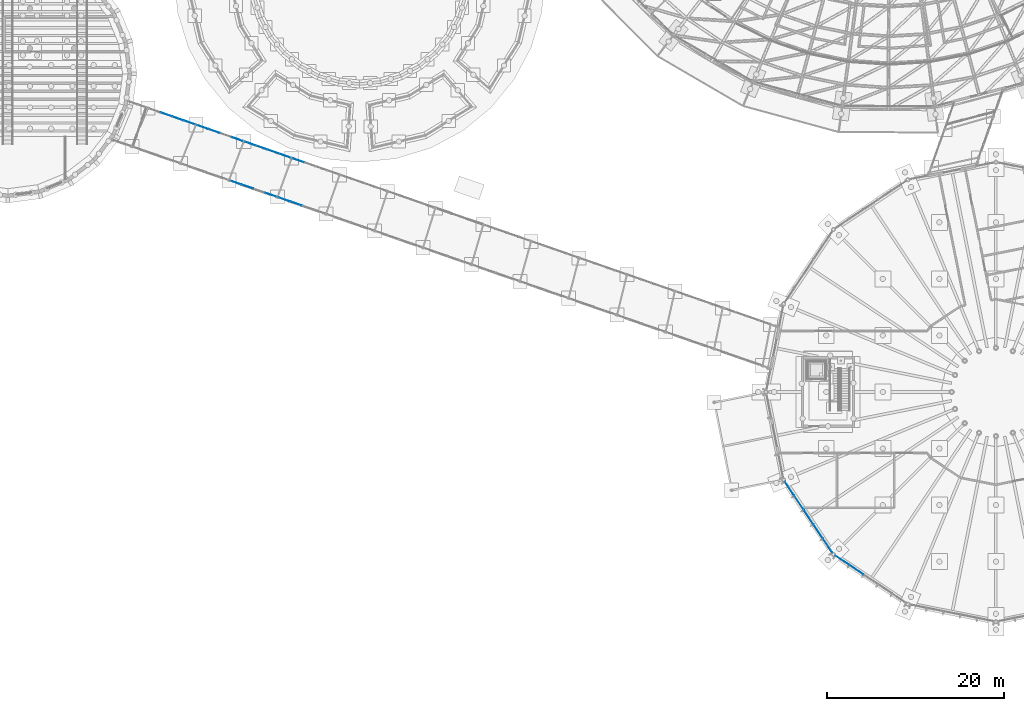
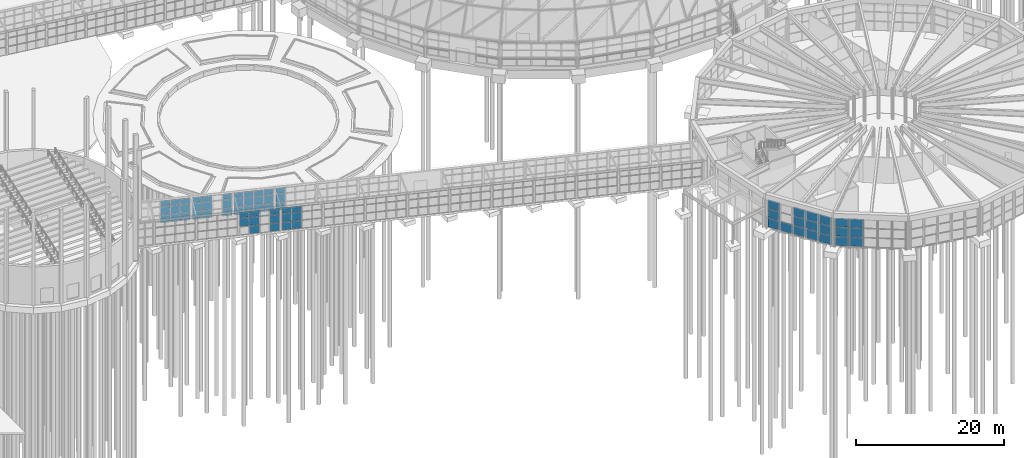
# One storey, part 122 of 226: 66 plates, 8 elements without a shape of their own.
"""IFC4 building model written with IfcOpenShell, lengths in metres."""

from ifc_helpers import new_model, si_unit, direction, frame, origin, origin_2d, place, context, subcontext, project, spatial, rectangle, extrude, material, layer, layer_set, type_object, element, aggregate, save


model = new_model("IFC4")

# Units and contexts
model_context = context("Model", 3, precision=1e-05, world=origin(), true_north=direction((0.0, 1.0)))
body_context = subcontext(model_context, "Body", "Model", "MODEL_VIEW")
ifc_project = project(units=[si_unit("LENGTHUNIT", "METRE"), si_unit("AREAUNIT", "SQUARE_METRE"), si_unit("VOLUMEUNIT", "CUBIC_METRE"), si_unit("PLANEANGLEUNIT", "RADIAN"), si_unit("MASSUNIT", "GRAM", prefix="KILO")], contexts=[model_context])

# Site, building, storey
site_placement = place(None, origin())
site = spatial("IfcSite", under=ifc_project, at=site_placement, CompositionType="ELEMENT")
building_placement = place(site_placement, origin())
building = spatial("IfcBuilding", under=site, at=building_placement, Name="Ceibo Conservatory and Research Tower", CompositionType="ELEMENT")
storey_placement = place(building_placement, origin())
storey = spatial("IfcBuildingStorey", under=building, at=storey_placement, Name="L00", CompositionType="ELEMENT", Elevation=0.0)

# Curtain wall, plates
ifc_material_1 = material(Name="Aluminium and glass", Category="aluminium")
curtain_wall_type_1 = type_object("IfcCurtainWallType", Name="Gallery curtain wall", PredefinedType="NOTDEFINED", material=ifc_material_1)
curtain_wall_1_placement = place(storey_placement, origin())
curtain_wall_1 = element("IfcCurtainWall", 1, at=curtain_wall_1_placement, inside=storey, type_object=curtain_wall_type_1, Name="Gallery curtain wall AUD-VC-CWN02", PredefinedType="NOTDEFINED")
ifc_material_2 = material(Name="Laminated glass", Category="glass")
ifc_layer_1 = layer(ifc_material_2, 0.028076171875)
ifc_layer_set_1 = layer_set([ifc_layer_1], Name="Laminated glass")
plate_type_1 = type_object("IfcPlateType", Name="Gallery glass 28", PredefinedType="CURTAIN_PANEL", material=ifc_layer_set_1)
plate_1_placement = place(storey_placement, frame((74.096435546875, 67.40625, 0.06005859375), z_axis=(0.0, 0.0, 1.0), x_axis=(0.944579236191, -0.328283515513, 0.0)))
plate_1 = element("IfcPlate", 2, at=plate_1_placement, type_object=plate_type_1, Name="AUD-VC-CWN02 panel 2.1", PredefinedType="CURTAIN_PANEL", context=body_context, shape_type="SweptSolid", body=[
    extrude(rectangle(XDim=1.32470703125, YDim=0.028076171875, at=origin_2d()), origin(), (0.0, 0.0, 1.0), 1.31005859375),
])
plate_2_placement = place(storey_placement, frame((74.096435546875, 67.40625, 1.43017578125), z_axis=(0.0, 0.0, 1.0), x_axis=(0.944579236191, -0.328283515513, 0.0)))
plate_2 = element("IfcPlate", 3, at=plate_2_placement, type_object=plate_type_1, Name="AUD-VC-CWN02 panel 2.2", PredefinedType="CURTAIN_PANEL", context=body_context, shape_type="SweptSolid", body=[
    extrude(rectangle(XDim=1.32470703125, YDim=0.028076171875, at=origin_2d()), origin(), (0.0, 0.0, 1.0), 1.340087890625),
])
plate_3_placement = place(storey_placement, frame((74.096435546875, 67.40625, 2.830078125), z_axis=(0.0, 0.0, 1.0), x_axis=(0.944579236191, -0.328283515513, 0.0)))
plate_3 = element("IfcPlate", 4, at=plate_3_placement, type_object=plate_type_1, Name="AUD-VC-CWN02 panel 2.3", PredefinedType="CURTAIN_PANEL", context=body_context, shape_type="SweptSolid", body=[
    extrude(rectangle(XDim=1.32470703125, YDim=0.028076171875, at=origin_2d()), origin(), (0.0, 0.0, 1.0), 0.909912109375),
])
plate_4_placement = place(storey_placement, frame((75.404296875, 66.95166015625, 0.06005859375), z_axis=(0.0, 0.0, 1.0), x_axis=(0.944579236191, -0.328283515513, 0.0)))
plate_4 = element("IfcPlate", 5, at=plate_4_placement, type_object=plate_type_1, Name="AUD-VC-CWN02 panel 3.1", PredefinedType="CURTAIN_PANEL", context=body_context, shape_type="SweptSolid", body=[
    extrude(rectangle(XDim=1.32470703125, YDim=0.028076171875, at=origin_2d()), origin(), (0.0, 0.0, 1.0), 1.31005859375),
])
plate_5_placement = place(storey_placement, frame((75.404296875, 66.95166015625, 1.43017578125), z_axis=(0.0, 0.0, 1.0), x_axis=(0.944579236191, -0.328283515513, 0.0)))
plate_5 = element("IfcPlate", 6, at=plate_5_placement, type_object=plate_type_1, Name="AUD-VC-CWN02 panel 3.2", PredefinedType="CURTAIN_PANEL", context=body_context, shape_type="SweptSolid", body=[
    extrude(rectangle(XDim=1.32470703125, YDim=0.028076171875, at=origin_2d()), origin(), (0.0, 0.0, 1.0), 1.340087890625),
])
plate_6_placement = place(storey_placement, frame((75.404296875, 66.95166015625, 2.830078125), z_axis=(0.0, 0.0, 1.0), x_axis=(0.944579236191, -0.328283515513, 0.0)))
plate_6 = element("IfcPlate", 7, at=plate_6_placement, type_object=plate_type_1, Name="AUD-VC-CWN02 panel 3.3", PredefinedType="CURTAIN_PANEL", context=body_context, shape_type="SweptSolid", body=[
    extrude(rectangle(XDim=1.32470703125, YDim=0.028076171875, at=origin_2d()), origin(), (0.0, 0.0, 1.0), 0.909912109375),
])
plate_7_placement = place(storey_placement, frame((76.697998046875, 66.501953125, 0.06005859375), z_axis=(0.0, 0.0, 1.0), x_axis=(0.944579236191, -0.328283515513, 0.0)))
plate_7 = element("IfcPlate", 8, at=plate_7_placement, type_object=plate_type_1, Name="AUD-VC-CWN02 panel 4.1", PredefinedType="CURTAIN_PANEL", context=body_context, shape_type="SweptSolid", body=[
    extrude(rectangle(XDim=1.294677734375, YDim=0.028076171875, at=origin_2d()), origin(), (0.0, 0.0, 1.0), 1.31005859375),
])
plate_8_placement = place(storey_placement, frame((76.697998046875, 66.501953125, 1.43017578125), z_axis=(0.0, 0.0, 1.0), x_axis=(0.944579236191, -0.328283515513, 0.0)))
plate_8 = element("IfcPlate", 9, at=plate_8_placement, type_object=plate_type_1, Name="AUD-VC-CWN02 panel 4.2", PredefinedType="CURTAIN_PANEL", context=body_context, shape_type="SweptSolid", body=[
    extrude(rectangle(XDim=1.294677734375, YDim=0.028076171875, at=origin_2d()), origin(), (0.0, 0.0, 1.0), 1.340087890625),
])
plate_9_placement = place(storey_placement, frame((76.697998046875, 66.501953125, 2.830078125), z_axis=(0.0, 0.0, 1.0), x_axis=(0.944579236191, -0.328283515513, 0.0)))
plate_9 = element("IfcPlate", 10, at=plate_9_placement, type_object=plate_type_1, Name="AUD-VC-CWN02 panel 4.3", PredefinedType="CURTAIN_PANEL", context=body_context, shape_type="SweptSolid", body=[
    extrude(rectangle(XDim=1.294677734375, YDim=0.028076171875, at=origin_2d()), origin(), (0.0, 0.0, 1.0), 0.909912109375),
])
aggregate(curtain_wall_1, [plate_1, plate_2, plate_3, plate_4, plate_5, plate_6, plate_7, plate_8, plate_9])

curtain_wall_2_placement = place(storey_placement, origin())
curtain_wall_2 = element("IfcCurtainWall", 11, at=curtain_wall_2_placement, inside=storey, type_object=curtain_wall_type_1, Name="Gallery curtain wall AUD-VC-CWN03", PredefinedType="NOTDEFINED")
plate_10_placement = place(storey_placement, frame((78.223388671875, 65.971923828125, 0.06005859375), z_axis=(0.0, 0.0, 1.0), x_axis=(0.944579236191, -0.328283515513, 0.0)))
plate_10 = element("IfcPlate", 12, at=plate_10_placement, type_object=plate_type_1, Name="AUD-VC-CWN03 panel 1.1", PredefinedType="CURTAIN_PANEL", context=body_context, shape_type="SweptSolid", body=[
    extrude(rectangle(XDim=1.294677734375, YDim=0.028076171875, at=origin_2d()), origin(), (0.0, 0.0, 1.0), 1.31005859375),
])
plate_11_placement = place(storey_placement, frame((78.223388671875, 65.971923828125, 1.43017578125), z_axis=(0.0, 0.0, 1.0), x_axis=(0.944579236191, -0.328283515513, 0.0)))
plate_11 = element("IfcPlate", 13, at=plate_11_placement, type_object=plate_type_1, Name="AUD-VC-CWN03 panel 1.2", PredefinedType="CURTAIN_PANEL", context=body_context, shape_type="SweptSolid", body=[
    extrude(rectangle(XDim=1.294677734375, YDim=0.028076171875, at=origin_2d()), origin(), (0.0, 0.0, 1.0), 1.340087890625),
])
plate_12_placement = place(storey_placement, frame((78.223388671875, 65.971923828125, 2.830078125), z_axis=(0.0, 0.0, 1.0), x_axis=(0.944579236191, -0.328283515513, 0.0)))
plate_12 = element("IfcPlate", 14, at=plate_12_placement, type_object=plate_type_1, Name="AUD-VC-CWN03 panel 1.3", PredefinedType="CURTAIN_PANEL", context=body_context, shape_type="SweptSolid", body=[
    extrude(rectangle(XDim=1.294677734375, YDim=0.028076171875, at=origin_2d()), origin(), (0.0, 0.0, 1.0), 0.909912109375),
])
plate_13_placement = place(storey_placement, frame((79.51708984375, 65.522216796875, 0.06005859375), z_axis=(0.0, 0.0, 1.0), x_axis=(0.944579236191, -0.328283515513, 0.0)))
plate_13 = element("IfcPlate", 15, at=plate_13_placement, type_object=plate_type_1, Name="AUD-VC-CWN03 panel 2.1", PredefinedType="CURTAIN_PANEL", context=body_context, shape_type="SweptSolid", body=[
    extrude(rectangle(XDim=1.32470703125, YDim=0.028076171875, at=origin_2d()), origin(), (0.0, 0.0, 1.0), 1.31005859375),
])
plate_14_placement = place(storey_placement, frame((79.51708984375, 65.522216796875, 1.43017578125), z_axis=(0.0, 0.0, 1.0), x_axis=(0.944579236191, -0.328283515513, 0.0)))
plate_14 = element("IfcPlate", 16, at=plate_14_placement, type_object=plate_type_1, Name="AUD-VC-CWN03 panel 2.2", PredefinedType="CURTAIN_PANEL", context=body_context, shape_type="SweptSolid", body=[
    extrude(rectangle(XDim=1.32470703125, YDim=0.028076171875, at=origin_2d()), origin(), (0.0, 0.0, 1.0), 1.340087890625),
])
plate_15_placement = place(storey_placement, frame((79.51708984375, 65.522216796875, 2.830078125), z_axis=(0.0, 0.0, 1.0), x_axis=(0.944579236191, -0.328283515513, 0.0)))
plate_15 = element("IfcPlate", 17, at=plate_15_placement, type_object=plate_type_1, Name="AUD-VC-CWN03 panel 2.3", PredefinedType="CURTAIN_PANEL", context=body_context, shape_type="SweptSolid", body=[
    extrude(rectangle(XDim=1.32470703125, YDim=0.028076171875, at=origin_2d()), origin(), (0.0, 0.0, 1.0), 0.909912109375),
])
plate_16_placement = place(storey_placement, frame((82.11865234375, 64.6181640625, 0.06005859375), z_axis=(0.0, 0.0, 1.0), x_axis=(0.944579236191, -0.328283515513, 0.0)))
plate_16 = element("IfcPlate", 18, at=plate_16_placement, type_object=plate_type_1, Name="AUD-VC-CWN03 panel 4.1", PredefinedType="CURTAIN_PANEL", context=body_context, shape_type="SweptSolid", body=[
    extrude(rectangle(XDim=1.294677734375, YDim=0.028076171875, at=origin_2d()), origin(), (0.0, 0.0, 1.0), 1.31005859375),
])
plate_17_placement = place(storey_placement, frame((82.11865234375, 64.6181640625, 1.43017578125), z_axis=(0.0, 0.0, 1.0), x_axis=(0.944579236191, -0.328283515513, 0.0)))
plate_17 = element("IfcPlate", 19, at=plate_17_placement, type_object=plate_type_1, Name="AUD-VC-CWN03 panel 4.2", PredefinedType="CURTAIN_PANEL", context=body_context, shape_type="SweptSolid", body=[
    extrude(rectangle(XDim=1.294677734375, YDim=0.028076171875, at=origin_2d()), origin(), (0.0, 0.0, 1.0), 1.340087890625),
])
plate_18_placement = place(storey_placement, frame((82.11865234375, 64.6181640625, 2.830078125), z_axis=(0.0, 0.0, 1.0), x_axis=(0.944579236191, -0.328283515513, 0.0)))
plate_18 = element("IfcPlate", 20, at=plate_18_placement, type_object=plate_type_1, Name="AUD-VC-CWN03 panel 4.3", PredefinedType="CURTAIN_PANEL", context=body_context, shape_type="SweptSolid", body=[
    extrude(rectangle(XDim=1.294677734375, YDim=0.028076171875, at=origin_2d()), origin(), (0.0, 0.0, 1.0), 0.909912109375),
])
aggregate(curtain_wall_2, [plate_10, plate_11, plate_12, plate_13, plate_14, plate_15, plate_16, plate_17, plate_18])

curtain_wall_3_placement = place(storey_placement, origin())
curtain_wall_3 = element("IfcCurtainWall", 21, at=curtain_wall_3_placement, inside=storey, type_object=curtain_wall_type_1, Name="Gallery curtain wall AUD-VC-CWN04", PredefinedType="NOTDEFINED")
plate_19_placement = place(storey_placement, frame((83.643798828125, 64.088134765625, 0.06005859375), z_axis=(0.0, 0.0, 1.0), x_axis=(0.944579236191, -0.328283515513, 0.0)))
plate_19 = element("IfcPlate", 22, at=plate_19_placement, type_object=plate_type_1, Name="AUD-VC-CWN04 panel 1.1", PredefinedType="CURTAIN_PANEL", context=body_context, shape_type="SweptSolid", body=[
    extrude(rectangle(XDim=1.294677734375, YDim=0.028076171875, at=origin_2d()), origin(), (0.0, 0.0, 1.0), 1.31005859375),
])
plate_20_placement = place(storey_placement, frame((83.643798828125, 64.088134765625, 1.43017578125), z_axis=(0.0, 0.0, 1.0), x_axis=(0.944579236191, -0.328283515513, 0.0)))
plate_20 = element("IfcPlate", 23, at=plate_20_placement, type_object=plate_type_1, Name="AUD-VC-CWN04 panel 1.2", PredefinedType="CURTAIN_PANEL", context=body_context, shape_type="SweptSolid", body=[
    extrude(rectangle(XDim=1.294677734375, YDim=0.028076171875, at=origin_2d()), origin(), (0.0, 0.0, 1.0), 1.340087890625),
])
plate_21_placement = place(storey_placement, frame((83.643798828125, 64.088134765625, 2.830078125), z_axis=(0.0, 0.0, 1.0), x_axis=(0.944579236191, -0.328283515513, 0.0)))
plate_21 = element("IfcPlate", 24, at=plate_21_placement, type_object=plate_type_1, Name="AUD-VC-CWN04 panel 1.3", PredefinedType="CURTAIN_PANEL", context=body_context, shape_type="SweptSolid", body=[
    extrude(rectangle(XDim=1.294677734375, YDim=0.028076171875, at=origin_2d()), origin(), (0.0, 0.0, 1.0), 0.909912109375),
])
plate_22_placement = place(storey_placement, frame((84.937744140625, 63.638427734375, 0.06005859375), z_axis=(0.0, 0.0, 1.0), x_axis=(0.944579236191, -0.328283515513, 0.0)))
plate_22 = element("IfcPlate", 25, at=plate_22_placement, type_object=plate_type_1, Name="AUD-VC-CWN04 panel 2.1", PredefinedType="CURTAIN_PANEL", context=body_context, shape_type="SweptSolid", body=[
    extrude(rectangle(XDim=1.32470703125, YDim=0.028076171875, at=origin_2d()), origin(), (0.0, 0.0, 1.0), 1.31005859375),
])
plate_23_placement = place(storey_placement, frame((84.937744140625, 63.638427734375, 1.43017578125), z_axis=(0.0, 0.0, 1.0), x_axis=(0.944579236191, -0.328283515513, 0.0)))
plate_23 = element("IfcPlate", 26, at=plate_23_placement, type_object=plate_type_1, Name="AUD-VC-CWN04 panel 2.2", PredefinedType="CURTAIN_PANEL", context=body_context, shape_type="SweptSolid", body=[
    extrude(rectangle(XDim=1.32470703125, YDim=0.028076171875, at=origin_2d()), origin(), (0.0, 0.0, 1.0), 1.340087890625),
])
plate_24_placement = place(storey_placement, frame((84.937744140625, 63.638427734375, 2.830078125), z_axis=(0.0, 0.0, 1.0), x_axis=(0.944579236191, -0.328283515513, 0.0)))
plate_24 = element("IfcPlate", 27, at=plate_24_placement, type_object=plate_type_1, Name="AUD-VC-CWN04 panel 2.3", PredefinedType="CURTAIN_PANEL", context=body_context, shape_type="SweptSolid", body=[
    extrude(rectangle(XDim=1.32470703125, YDim=0.028076171875, at=origin_2d()), origin(), (0.0, 0.0, 1.0), 0.909912109375),
])
plate_25_placement = place(storey_placement, frame((86.24560546875, 63.183837890625, 0.06005859375), z_axis=(0.0, 0.0, 1.0), x_axis=(0.944579236191, -0.328283515513, 0.0)))
plate_25 = element("IfcPlate", 28, at=plate_25_placement, type_object=plate_type_1, Name="AUD-VC-CWN04 panel 3.1", PredefinedType="CURTAIN_PANEL", context=body_context, shape_type="SweptSolid", body=[
    extrude(rectangle(XDim=1.32470703125, YDim=0.028076171875, at=origin_2d()), origin(), (0.0, 0.0, 1.0), 1.31005859375),
])
plate_26_placement = place(storey_placement, frame((86.24560546875, 63.183837890625, 1.43017578125), z_axis=(0.0, 0.0, 1.0), x_axis=(0.944579236191, -0.328283515513, 0.0)))
plate_26 = element("IfcPlate", 29, at=plate_26_placement, type_object=plate_type_1, Name="AUD-VC-CWN04 panel 3.2", PredefinedType="CURTAIN_PANEL", context=body_context, shape_type="SweptSolid", body=[
    extrude(rectangle(XDim=1.32470703125, YDim=0.028076171875, at=origin_2d()), origin(), (0.0, 0.0, 1.0), 1.340087890625),
])
plate_27_placement = place(storey_placement, frame((86.24560546875, 63.183837890625, 2.830078125), z_axis=(0.0, 0.0, 1.0), x_axis=(0.944579236191, -0.328283515513, 0.0)))
plate_27 = element("IfcPlate", 30, at=plate_27_placement, type_object=plate_type_1, Name="AUD-VC-CWN04 panel 3.3", PredefinedType="CURTAIN_PANEL", context=body_context, shape_type="SweptSolid", body=[
    extrude(rectangle(XDim=1.32470703125, YDim=0.028076171875, at=origin_2d()), origin(), (0.0, 0.0, 1.0), 0.909912109375),
])
plate_28_placement = place(storey_placement, frame((87.539306640625, 62.734130859375, 0.06005859375), z_axis=(0.0, 0.0, 1.0), x_axis=(0.944579236191, -0.328283515513, 0.0)))
plate_28 = element("IfcPlate", 31, at=plate_28_placement, type_object=plate_type_1, Name="AUD-VC-CWN04 panel 4.1", PredefinedType="CURTAIN_PANEL", context=body_context, shape_type="SweptSolid", body=[
    extrude(rectangle(XDim=1.294677734375, YDim=0.028076171875, at=origin_2d()), origin(), (0.0, 0.0, 1.0), 1.31005859375),
])
plate_29_placement = place(storey_placement, frame((87.539306640625, 62.734130859375, 1.43017578125), z_axis=(0.0, 0.0, 1.0), x_axis=(0.944579236191, -0.328283515513, 0.0)))
plate_29 = element("IfcPlate", 32, at=plate_29_placement, type_object=plate_type_1, Name="AUD-VC-CWN04 panel 4.2", PredefinedType="CURTAIN_PANEL", context=body_context, shape_type="SweptSolid", body=[
    extrude(rectangle(XDim=1.294677734375, YDim=0.028076171875, at=origin_2d()), origin(), (0.0, 0.0, 1.0), 1.340087890625),
])
plate_30_placement = place(storey_placement, frame((87.539306640625, 62.734130859375, 2.830078125), z_axis=(0.0, 0.0, 1.0), x_axis=(0.944579236191, -0.328283515513, 0.0)))
plate_30 = element("IfcPlate", 33, at=plate_30_placement, type_object=plate_type_1, Name="AUD-VC-CWN04 panel 4.3", PredefinedType="CURTAIN_PANEL", context=body_context, shape_type="SweptSolid", body=[
    extrude(rectangle(XDim=1.294677734375, YDim=0.028076171875, at=origin_2d()), origin(), (0.0, 0.0, 1.0), 0.909912109375),
])
aggregate(curtain_wall_3, [plate_19, plate_20, plate_21, plate_22, plate_23, plate_24, plate_25, plate_26, plate_27, plate_28, plate_29, plate_30])

curtain_wall_4_placement = place(storey_placement, origin())
curtain_wall_4 = element("IfcCurtainWall", 34, at=curtain_wall_4_placement, inside=storey, type_object=curtain_wall_type_1, Name="Gallery curtain wall AUD-VC-CWN05", PredefinedType="NOTDEFINED")
plate_31_placement = place(storey_placement, frame((89.064453125, 62.2041015625, 0.06005859375), z_axis=(0.0, 0.0, 1.0), x_axis=(0.944579236191, -0.328283515513, 0.0)))
plate_31 = element("IfcPlate", 35, at=plate_31_placement, type_object=plate_type_1, Name="AUD-VC-CWN05 panel 1.1", PredefinedType="CURTAIN_PANEL", context=body_context, shape_type="SweptSolid", body=[
    extrude(rectangle(XDim=1.294677734375, YDim=0.028076171875, at=origin_2d()), origin(), (0.0, 0.0, 1.0), 1.31005859375),
])
plate_32_placement = place(storey_placement, frame((89.064453125, 62.2041015625, 1.43017578125), z_axis=(0.0, 0.0, 1.0), x_axis=(0.944579236191, -0.328283515513, 0.0)))
plate_32 = element("IfcPlate", 36, at=plate_32_placement, type_object=plate_type_1, Name="AUD-VC-CWN05 panel 1.2", PredefinedType="CURTAIN_PANEL", context=body_context, shape_type="SweptSolid", body=[
    extrude(rectangle(XDim=1.294677734375, YDim=0.028076171875, at=origin_2d()), origin(), (0.0, 0.0, 1.0), 1.340087890625),
])
plate_33_placement = place(storey_placement, frame((89.064453125, 62.2041015625, 2.830078125), z_axis=(0.0, 0.0, 1.0), x_axis=(0.944579236191, -0.328283515513, 0.0)))
plate_33 = element("IfcPlate", 37, at=plate_33_placement, type_object=plate_type_1, Name="AUD-VC-CWN05 panel 1.3", PredefinedType="CURTAIN_PANEL", context=body_context, shape_type="SweptSolid", body=[
    extrude(rectangle(XDim=1.294677734375, YDim=0.028076171875, at=origin_2d()), origin(), (0.0, 0.0, 1.0), 0.909912109375),
])
aggregate(curtain_wall_4, [plate_31, plate_32, plate_33])

curtain_wall_5_placement = place(storey_placement, origin())
curtain_wall_5 = element("IfcCurtainWall", 38, at=curtain_wall_5_placement, inside=storey, type_object=curtain_wall_type_1, Name="Gallery curtain wall AUD-VC-CWS04", PredefinedType="NOTDEFINED")
plate_34_placement = place(storey_placement, frame((81.98193359375, 59.68994140625, 1.43017578125), z_axis=(0.0, 0.0, 1.0), x_axis=(0.944579236191, -0.328283515513, 0.0)))
plate_34 = element("IfcPlate", 39, at=plate_34_placement, type_object=plate_type_1, Name="AUD-VC-CWS04 panel 1.2", PredefinedType="CURTAIN_PANEL", context=body_context, shape_type="SweptSolid", body=[
    extrude(rectangle(XDim=1.3125, YDim=0.028076171875, at=origin_2d()), origin(), (0.0, 0.0, 1.0), 1.340087890625),
])
plate_35_placement = place(storey_placement, frame((81.98193359375, 59.68994140625, 2.830078125), z_axis=(0.0, 0.0, 1.0), x_axis=(0.944579236191, -0.328283515513, 0.0)))
plate_35 = element("IfcPlate", 40, at=plate_35_placement, type_object=plate_type_1, Name="AUD-VC-CWS04 panel 1.3", PredefinedType="CURTAIN_PANEL", context=body_context, shape_type="SweptSolid", body=[
    extrude(rectangle(XDim=1.3125, YDim=0.028076171875, at=origin_2d()), origin(), (0.0, 0.0, 1.0), 0.909912109375),
])
plate_36_placement = place(storey_placement, frame((83.29248046875, 59.234375, 0.06005859375), z_axis=(0.0, 0.0, 1.0), x_axis=(0.944579236191, -0.328283515513, 0.0)))
plate_36 = element("IfcPlate", 41, at=plate_36_placement, type_object=plate_type_1, Name="AUD-VC-CWS04 panel 2.1", PredefinedType="CURTAIN_PANEL", context=body_context, shape_type="SweptSolid", body=[
    extrude(rectangle(XDim=1.342529296875, YDim=0.028076171875, at=origin_2d()), origin(), (0.0, 0.0, 1.0), 1.31005859375),
])
plate_37_placement = place(storey_placement, frame((83.29248046875, 59.234375, 1.43017578125), z_axis=(0.0, 0.0, 1.0), x_axis=(0.944579236191, -0.328283515513, 0.0)))
plate_37 = element("IfcPlate", 42, at=plate_37_placement, type_object=plate_type_1, Name="AUD-VC-CWS04 panel 2.2", PredefinedType="CURTAIN_PANEL", context=body_context, shape_type="SweptSolid", body=[
    extrude(rectangle(XDim=1.342529296875, YDim=0.028076171875, at=origin_2d()), origin(), (0.0, 0.0, 1.0), 1.340087890625),
])
plate_38_placement = place(storey_placement, frame((83.29248046875, 59.234375, 2.830078125), z_axis=(0.0, 0.0, 1.0), x_axis=(0.944579236191, -0.328283515513, 0.0)))
plate_38 = element("IfcPlate", 43, at=plate_38_placement, type_object=plate_type_1, Name="AUD-VC-CWS04 panel 2.3", PredefinedType="CURTAIN_PANEL", context=body_context, shape_type="SweptSolid", body=[
    extrude(rectangle(XDim=1.342529296875, YDim=0.028076171875, at=origin_2d()), origin(), (0.0, 0.0, 1.0), 0.909912109375),
])
plate_39_placement = place(storey_placement, frame((85.92822265625, 58.318359375, 0.06005859375), z_axis=(0.0, 0.0, 1.0), x_axis=(0.944579236191, -0.328283515513, 0.0)))
plate_39 = element("IfcPlate", 44, at=plate_39_placement, type_object=plate_type_1, Name="AUD-VC-CWS04 panel 4.1", PredefinedType="CURTAIN_PANEL", context=body_context, shape_type="SweptSolid", body=[
    extrude(rectangle(XDim=1.3125, YDim=0.028076171875, at=origin_2d()), origin(), (0.0, 0.0, 1.0), 1.31005859375),
])
plate_40_placement = place(storey_placement, frame((85.92822265625, 58.318359375, 1.43017578125), z_axis=(0.0, 0.0, 1.0), x_axis=(0.944579236191, -0.328283515513, 0.0)))
plate_40 = element("IfcPlate", 45, at=plate_40_placement, type_object=plate_type_1, Name="AUD-VC-CWS04 panel 4.2", PredefinedType="CURTAIN_PANEL", context=body_context, shape_type="SweptSolid", body=[
    extrude(rectangle(XDim=1.3125, YDim=0.028076171875, at=origin_2d()), origin(), (0.0, 0.0, 1.0), 1.340087890625),
])
plate_41_placement = place(storey_placement, frame((85.92822265625, 58.318359375, 2.830078125), z_axis=(0.0, 0.0, 1.0), x_axis=(0.944579236191, -0.328283515513, 0.0)))
plate_41 = element("IfcPlate", 46, at=plate_41_placement, type_object=plate_type_1, Name="AUD-VC-CWS04 panel 4.3", PredefinedType="CURTAIN_PANEL", context=body_context, shape_type="SweptSolid", body=[
    extrude(rectangle(XDim=1.3125, YDim=0.028076171875, at=origin_2d()), origin(), (0.0, 0.0, 1.0), 0.909912109375),
])
aggregate(curtain_wall_5, [plate_34, plate_35, plate_36, plate_37, plate_38, plate_39, plate_40, plate_41])

curtain_wall_6_placement = place(storey_placement, origin())
curtain_wall_6 = element("IfcCurtainWall", 47, at=curtain_wall_6_placement, inside=storey, type_object=curtain_wall_type_1, Name="Gallery curtain wall AUD-VC-CWS05", PredefinedType="NOTDEFINED")
plate_42_placement = place(storey_placement, frame((87.47021484375, 57.782470703125, 0.06005859375), z_axis=(0.0, 0.0, 1.0), x_axis=(0.944579236191, -0.328283515513, 0.0)))
plate_42 = element("IfcPlate", 48, at=plate_42_placement, type_object=plate_type_1, Name="AUD-VC-CWS05 panel 1.1", PredefinedType="CURTAIN_PANEL", context=body_context, shape_type="SweptSolid", body=[
    extrude(rectangle(XDim=1.3125, YDim=0.028076171875, at=origin_2d()), origin(), (0.0, 0.0, 1.0), 1.31005859375),
])
plate_43_placement = place(storey_placement, frame((87.47021484375, 57.782470703125, 1.43017578125), z_axis=(0.0, 0.0, 1.0), x_axis=(0.944579236191, -0.328283515513, 0.0)))
plate_43 = element("IfcPlate", 49, at=plate_43_placement, type_object=plate_type_1, Name="AUD-VC-CWS05 panel 1.2", PredefinedType="CURTAIN_PANEL", context=body_context, shape_type="SweptSolid", body=[
    extrude(rectangle(XDim=1.3125, YDim=0.028076171875, at=origin_2d()), origin(), (0.0, 0.0, 1.0), 1.340087890625),
])
plate_44_placement = place(storey_placement, frame((87.47021484375, 57.782470703125, 2.830078125), z_axis=(0.0, 0.0, 1.0), x_axis=(0.944579236191, -0.328283515513, 0.0)))
plate_44 = element("IfcPlate", 50, at=plate_44_placement, type_object=plate_type_1, Name="AUD-VC-CWS05 panel 1.3", PredefinedType="CURTAIN_PANEL", context=body_context, shape_type="SweptSolid", body=[
    extrude(rectangle(XDim=1.3125, YDim=0.028076171875, at=origin_2d()), origin(), (0.0, 0.0, 1.0), 0.909912109375),
])
plate_45_placement = place(storey_placement, frame((88.78076171875, 57.326904296875, 0.06005859375), z_axis=(0.0, 0.0, 1.0), x_axis=(0.944579236191, -0.328283515513, 0.0)))
plate_45 = element("IfcPlate", 51, at=plate_45_placement, type_object=plate_type_1, Name="AUD-VC-CWS05 panel 2.1", PredefinedType="CURTAIN_PANEL", context=body_context, shape_type="SweptSolid", body=[
    extrude(rectangle(XDim=1.342529296875, YDim=0.028076171875, at=origin_2d()), origin(), (0.0, 0.0, 1.0), 1.31005859375),
])
plate_46_placement = place(storey_placement, frame((88.78076171875, 57.326904296875, 1.43017578125), z_axis=(0.0, 0.0, 1.0), x_axis=(0.944579236191, -0.328283515513, 0.0)))
plate_46 = element("IfcPlate", 52, at=plate_46_placement, type_object=plate_type_1, Name="AUD-VC-CWS05 panel 2.2", PredefinedType="CURTAIN_PANEL", context=body_context, shape_type="SweptSolid", body=[
    extrude(rectangle(XDim=1.342529296875, YDim=0.028076171875, at=origin_2d()), origin(), (0.0, 0.0, 1.0), 1.340087890625),
])
plate_47_placement = place(storey_placement, frame((88.78076171875, 57.326904296875, 2.830078125), z_axis=(0.0, 0.0, 1.0), x_axis=(0.944579236191, -0.328283515513, 0.0)))
plate_47 = element("IfcPlate", 53, at=plate_47_placement, type_object=plate_type_1, Name="AUD-VC-CWS05 panel 2.3", PredefinedType="CURTAIN_PANEL", context=body_context, shape_type="SweptSolid", body=[
    extrude(rectangle(XDim=1.342529296875, YDim=0.028076171875, at=origin_2d()), origin(), (0.0, 0.0, 1.0), 0.909912109375),
])
aggregate(curtain_wall_6, [plate_42, plate_43, plate_44, plate_45, plate_46, plate_47])

curtain_wall_type_2 = type_object("IfcCurtainWallType", Name="Pavilion curtain wall", PredefinedType="NOTDEFINED", material=ifc_material_1)
curtain_wall_7_placement = place(storey_placement, origin())
curtain_wall_7 = element("IfcCurtainWall", 54, at=curtain_wall_7_placement, inside=storey, type_object=curtain_wall_type_2, Name="Pavilion curtain wall VC-CW10", PredefinedType="NOTDEFINED")
ifc_layer_2 = layer(ifc_material_2, 0.028076171875)
ifc_layer_set_2 = layer_set([ifc_layer_2], Name="Laminated glass")
plate_type_2 = type_object("IfcPlateType", Name="Pavilion glass 28", PredefinedType="CURTAIN_PANEL", material=ifc_layer_set_2)
plate_48_placement = place(storey_placement, frame((144.641357421875, 25.05908203125, 0.06005859375), z_axis=(0.0, 0.0, 1.0), x_axis=(0.555570267906, -0.831469588992, 0.0)))
plate_48 = element("IfcPlate", 55, at=plate_48_placement, type_object=plate_type_2, Name="VC-CW10 panel 1.1", PredefinedType="CURTAIN_PANEL", context=body_context, shape_type="SweptSolid", body=[
    extrude(rectangle(XDim=1.857666015625, YDim=0.028076171875, at=origin_2d()), origin(), (0.0, 0.0, 1.0), 1.490966796875),
])
plate_49_placement = place(storey_placement, frame((144.641357421875, 25.05908203125, 1.61083984375), z_axis=(0.0, 0.0, 1.0), x_axis=(0.555570267906, -0.831469588992, 0.0)))
plate_49 = element("IfcPlate", 56, at=plate_49_placement, type_object=plate_type_2, Name="VC-CW10 panel 1.2", PredefinedType="CURTAIN_PANEL", context=body_context, shape_type="SweptSolid", body=[
    extrude(rectangle(XDim=1.857666015625, YDim=0.028076171875, at=origin_2d()), origin(), (0.0, 0.0, 1.0), 1.47412109375),
])
plate_50_placement = place(storey_placement, frame((144.641357421875, 25.05908203125, 3.14501953125), z_axis=(0.0, 0.0, 1.0), x_axis=(0.555570267906, -0.831469588992, 0.0)))
plate_50 = element("IfcPlate", 57, at=plate_50_placement, type_object=plate_type_2, Name="VC-CW10 panel 1.3", PredefinedType="CURTAIN_PANEL", context=body_context, shape_type="SweptSolid", body=[
    extrude(rectangle(XDim=1.857666015625, YDim=0.028076171875, at=origin_2d()), origin(), (0.0, 0.0, 1.0), 1.444091796875),
])
plate_51_placement = place(storey_placement, frame((145.715087890625, 23.4521484375, 0.06005859375), z_axis=(0.0, 0.0, 1.0), x_axis=(0.555570267906, -0.831469588992, 0.0)))
plate_51 = element("IfcPlate", 58, at=plate_51_placement, type_object=plate_type_2, Name="VC-CW10 panel 2.1", PredefinedType="CURTAIN_PANEL", context=body_context, shape_type="SweptSolid", body=[
    extrude(rectangle(XDim=1.8876953125, YDim=0.028076171875, at=origin_2d()), origin(), (0.0, 0.0, 1.0), 1.490966796875),
])
plate_52_placement = place(storey_placement, frame((146.797119140625, 21.832763671875, 0.06005859375), z_axis=(0.0, 0.0, 1.0), x_axis=(0.555570267906, -0.831469588992, 0.0)))
plate_52 = element("IfcPlate", 59, at=plate_52_placement, type_object=plate_type_2, Name="VC-CW10 panel 3.1", PredefinedType="CURTAIN_PANEL", context=body_context, shape_type="SweptSolid", body=[
    extrude(rectangle(XDim=1.8876953125, YDim=0.028076171875, at=origin_2d()), origin(), (0.0, 0.0, 1.0), 1.490966796875),
])
plate_53_placement = place(storey_placement, frame((146.797119140625, 21.832763671875, 1.61083984375), z_axis=(0.0, 0.0, 1.0), x_axis=(0.555570267906, -0.831469588992, 0.0)))
plate_53 = element("IfcPlate", 60, at=plate_53_placement, type_object=plate_type_2, Name="VC-CW10 panel 3.2", PredefinedType="CURTAIN_PANEL", context=body_context, shape_type="SweptSolid", body=[
    extrude(rectangle(XDim=1.8876953125, YDim=0.028076171875, at=origin_2d()), origin(), (0.0, 0.0, 1.0), 1.47412109375),
])
plate_54_placement = place(storey_placement, frame((146.797119140625, 21.832763671875, 3.14501953125), z_axis=(0.0, 0.0, 1.0), x_axis=(0.555570267906, -0.831469588992, 0.0)))
plate_54 = element("IfcPlate", 61, at=plate_54_placement, type_object=plate_type_2, Name="VC-CW10 panel 3.3", PredefinedType="CURTAIN_PANEL", context=body_context, shape_type="SweptSolid", body=[
    extrude(rectangle(XDim=1.8876953125, YDim=0.028076171875, at=origin_2d()), origin(), (0.0, 0.0, 1.0), 1.444091796875),
])
plate_55_placement = place(storey_placement, frame((147.879150390625, 20.21337890625, 0.06005859375), z_axis=(0.0, 0.0, 1.0), x_axis=(0.555570267906, -0.831469588992, 0.0)))
plate_55 = element("IfcPlate", 62, at=plate_55_placement, type_object=plate_type_2, Name="VC-CW10 panel 4.1", PredefinedType="CURTAIN_PANEL", context=body_context, shape_type="SweptSolid", body=[
    extrude(rectangle(XDim=1.8876953125, YDim=0.028076171875, at=origin_2d()), origin(), (0.0, 0.0, 1.0), 1.490966796875),
])
plate_56_placement = place(storey_placement, frame((147.879150390625, 20.21337890625, 1.61083984375), z_axis=(0.0, 0.0, 1.0), x_axis=(0.555570267906, -0.831469588992, 0.0)))
plate_56 = element("IfcPlate", 63, at=plate_56_placement, type_object=plate_type_2, Name="VC-CW10 panel 4.2", PredefinedType="CURTAIN_PANEL", context=body_context, shape_type="SweptSolid", body=[
    extrude(rectangle(XDim=1.8876953125, YDim=0.028076171875, at=origin_2d()), origin(), (0.0, 0.0, 1.0), 1.47412109375),
])
plate_57_placement = place(storey_placement, frame((147.879150390625, 20.21337890625, 3.14501953125), z_axis=(0.0, 0.0, 1.0), x_axis=(0.555570267906, -0.831469588992, 0.0)))
plate_57 = element("IfcPlate", 64, at=plate_57_placement, type_object=plate_type_2, Name="VC-CW10 panel 4.3", PredefinedType="CURTAIN_PANEL", context=body_context, shape_type="SweptSolid", body=[
    extrude(rectangle(XDim=1.8876953125, YDim=0.028076171875, at=origin_2d()), origin(), (0.0, 0.0, 1.0), 1.444091796875),
])
plate_58_placement = place(storey_placement, frame((148.952880859375, 18.6064453125, 0.06005859375), z_axis=(0.0, 0.0, 1.0), x_axis=(0.555570267906, -0.831469588992, 0.0)))
plate_58 = element("IfcPlate", 65, at=plate_58_placement, type_object=plate_type_2, Name="VC-CW10 panel 5.1", PredefinedType="CURTAIN_PANEL", context=body_context, shape_type="SweptSolid", body=[
    extrude(rectangle(XDim=1.857666015625, YDim=0.028076171875, at=origin_2d()), origin(), (0.0, 0.0, 1.0), 1.490966796875),
])
plate_59_placement = place(storey_placement, frame((148.952880859375, 18.6064453125, 1.61083984375), z_axis=(0.0, 0.0, 1.0), x_axis=(0.555570267906, -0.831469588992, 0.0)))
plate_59 = element("IfcPlate", 66, at=plate_59_placement, type_object=plate_type_2, Name="VC-CW10 panel 5.2", PredefinedType="CURTAIN_PANEL", context=body_context, shape_type="SweptSolid", body=[
    extrude(rectangle(XDim=1.857666015625, YDim=0.028076171875, at=origin_2d()), origin(), (0.0, 0.0, 1.0), 1.47412109375),
])
plate_60_placement = place(storey_placement, frame((148.952880859375, 18.6064453125, 3.14501953125), z_axis=(0.0, 0.0, 1.0), x_axis=(0.555570267906, -0.831469588992, 0.0)))
plate_60 = element("IfcPlate", 67, at=plate_60_placement, type_object=plate_type_2, Name="VC-CW10 panel 5.3", PredefinedType="CURTAIN_PANEL", context=body_context, shape_type="SweptSolid", body=[
    extrude(rectangle(XDim=1.857666015625, YDim=0.028076171875, at=origin_2d()), origin(), (0.0, 0.0, 1.0), 1.444091796875),
])
aggregate(curtain_wall_7, [plate_48, plate_49, plate_50, plate_51, plate_52, plate_53, plate_54, plate_55, plate_56, plate_57, plate_58, plate_59, plate_60])

curtain_wall_8_placement = place(storey_placement, origin())
curtain_wall_8 = element("IfcCurtainWall", 68, at=curtain_wall_8_placement, inside=storey, type_object=curtain_wall_type_2, Name="Pavilion curtain wall VC-CW11", PredefinedType="NOTDEFINED")
plate_61_placement = place(storey_placement, frame((150.6064453125, 16.952880859375, 0.06005859375), z_axis=(0.0, 0.0, 1.0), x_axis=(0.831469588992, -0.555570267906, 0.0)))
plate_61 = element("IfcPlate", 69, at=plate_61_placement, type_object=plate_type_2, Name="VC-CW11 panel 1.1", PredefinedType="CURTAIN_PANEL", context=body_context, shape_type="SweptSolid", body=[
    extrude(rectangle(XDim=1.857666015625, YDim=0.028076171875, at=origin_2d()), origin(), (0.0, 0.0, 1.0), 1.490966796875),
])
plate_62_placement = place(storey_placement, frame((150.6064453125, 16.952880859375, 1.61083984375), z_axis=(0.0, 0.0, 1.0), x_axis=(0.831469588992, -0.555570267906, 0.0)))
plate_62 = element("IfcPlate", 70, at=plate_62_placement, type_object=plate_type_2, Name="VC-CW11 panel 1.2", PredefinedType="CURTAIN_PANEL", context=body_context, shape_type="SweptSolid", body=[
    extrude(rectangle(XDim=1.857666015625, YDim=0.028076171875, at=origin_2d()), origin(), (0.0, 0.0, 1.0), 1.47412109375),
])
plate_63_placement = place(storey_placement, frame((150.6064453125, 16.952880859375, 3.14501953125), z_axis=(0.0, 0.0, 1.0), x_axis=(0.831469588992, -0.555570267906, 0.0)))
plate_63 = element("IfcPlate", 71, at=plate_63_placement, type_object=plate_type_2, Name="VC-CW11 panel 1.3", PredefinedType="CURTAIN_PANEL", context=body_context, shape_type="SweptSolid", body=[
    extrude(rectangle(XDim=1.857666015625, YDim=0.028076171875, at=origin_2d()), origin(), (0.0, 0.0, 1.0), 1.444091796875),
])
plate_64_placement = place(storey_placement, frame((152.21337890625, 15.879150390625, 0.06005859375), z_axis=(0.0, 0.0, 1.0), x_axis=(0.831469588992, -0.555570267906, 0.0)))
plate_64 = element("IfcPlate", 72, at=plate_64_placement, type_object=plate_type_2, Name="VC-CW11 panel 2.1", PredefinedType="CURTAIN_PANEL", context=body_context, shape_type="SweptSolid", body=[
    extrude(rectangle(XDim=1.8876953125, YDim=0.028076171875, at=origin_2d()), origin(), (0.0, 0.0, 1.0), 1.490966796875),
])
plate_65_placement = place(storey_placement, frame((152.21337890625, 15.879150390625, 1.61083984375), z_axis=(0.0, 0.0, 1.0), x_axis=(0.831469588992, -0.555570267906, 0.0)))
plate_65 = element("IfcPlate", 73, at=plate_65_placement, type_object=plate_type_2, Name="VC-CW11 panel 2.2", PredefinedType="CURTAIN_PANEL", context=body_context, shape_type="SweptSolid", body=[
    extrude(rectangle(XDim=1.8876953125, YDim=0.028076171875, at=origin_2d()), origin(), (0.0, 0.0, 1.0), 1.47412109375),
])
plate_66_placement = place(storey_placement, frame((152.21337890625, 15.879150390625, 3.14501953125), z_axis=(0.0, 0.0, 1.0), x_axis=(0.831469588992, -0.555570267906, 0.0)))
plate_66 = element("IfcPlate", 74, at=plate_66_placement, type_object=plate_type_2, Name="VC-CW11 panel 2.3", PredefinedType="CURTAIN_PANEL", context=body_context, shape_type="SweptSolid", body=[
    extrude(rectangle(XDim=1.8876953125, YDim=0.028076171875, at=origin_2d()), origin(), (0.0, 0.0, 1.0), 1.444091796875),
])
aggregate(curtain_wall_8, [plate_61, plate_62, plate_63, plate_64, plate_65, plate_66])

save(model, "model.ifc")
